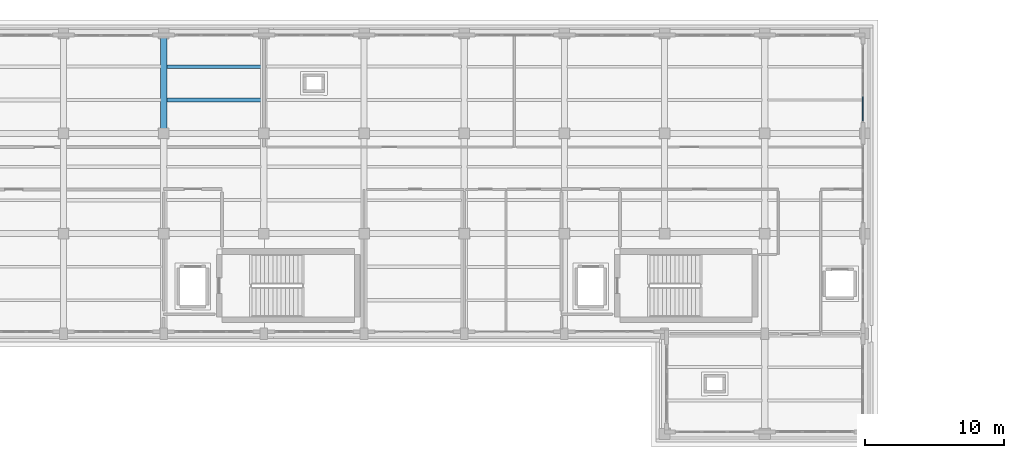
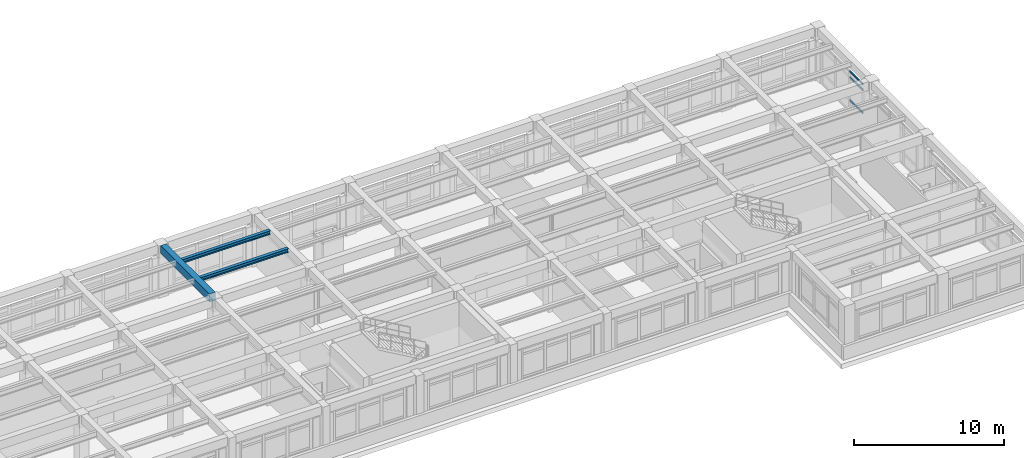
# One storey, part 29 of 67: 3 beams, 3 members, 1 element without a shape of its own.
"""IFC4 building model written with IfcOpenShell, lengths in metres."""

import ifcopenshell
import ifcopenshell.guid

model = None  # the IFC model being written
_history = None  # IfcOwnerHistory: only IFC2X3 demands one
_inside = {}  # id of a spatial element -> (the spatial element, [elements in it])
_under = {}  # id of a project, library or spatial element -> (it, [spatial elements below it])
_declared = {}  # id of a project -> (the project, [libraries it declares])
_typed = {}  # id of a type object -> (the type object, [elements of that type])
_made_of = {}  # id of a material, layer set ... -> (it, [elements and type objects made of it])


def new_model(schema):
    """Start an empty IFC model of exactly this schema.

    Asked for "IFC4X3", IfcOpenShell would pick the latest addendum, in which some entities
    have other attributes; the version numbers below select the first issue.
    IFC2X3 requires an IfcOwnerHistory on every rooted entity: one is made here for all.
    """
    global model, _history
    if schema == "IFC4X3":
        model = ifcopenshell.file(schema_version=(4, 3, 0, 0))
    else:
        model = ifcopenshell.file(schema=schema)
    _inside.clear()
    _under.clear()
    _declared.clear()
    _typed.clear()
    _made_of.clear()
    _history = None
    if model.schema == "IFC2X3":
        org = make("IfcOrganization", Name="unknown")
        user = make(
            "IfcPersonAndOrganization",
            ThePerson=make("IfcPerson", FamilyName="unknown"),
            TheOrganization=org,
        )
        app = make(
            "IfcApplication",
            ApplicationDeveloper=org,
            Version="unknown",
            ApplicationFullName="unknown",
            ApplicationIdentifier="unknown",
        )
        _history = make(
            "IfcOwnerHistory",
            OwningUser=user,
            OwningApplication=app,
            ChangeAction="ADDED",
            CreationDate=0,
        )
    return model


def make(cls, **values):
    """One entity of the class cls with the attributes given. An attribute that is None is left unset."""
    return model.create_entity(
        cls, **{name: value for name, value in values.items() if value is not None}
    )


def rooted(cls, **values):
    """An entity with a GlobalId (a new one), such as an element, a storey or a relation."""
    return make(cls, GlobalId=ifcopenshell.guid.new(), OwnerHistory=_history, **values)


def si_unit(unit_type, name, prefix=None):
    """IfcSIUnit, for example si_unit("LENGTHUNIT", "METRE", prefix="MILLI")."""
    return make("IfcSIUnit", UnitType=unit_type, Prefix=prefix, Name=name)


def assignment(units):
    """IfcUnitAssignment: the units of a project."""
    return None if units is None else make("IfcUnitAssignment", Units=units)


def point(xyz):
    """IfcCartesianPoint."""
    return None if xyz is None else make("IfcCartesianPoint", Coordinates=xyz)


def direction(xyz):
    """IfcDirection."""
    return None if xyz is None else make("IfcDirection", DirectionRatios=xyz)


def frame(location, z_axis=None, x_axis=None):
    """IfcAxis2Placement3D, a coordinate frame: its origin and axes. An axis left out is left unset."""
    return make(
        "IfcAxis2Placement3D",
        Location=point(location),
        Axis=direction(z_axis),
        RefDirection=direction(x_axis),
    )


def frame_2d(location, x_axis=None):
    """IfcAxis2Placement2D, a coordinate frame in the plane: its origin and x axis."""
    return make(
        "IfcAxis2Placement2D", Location=point(location), RefDirection=direction(x_axis)
    )


def origin():
    """The frame at (0, 0, 0) with its axes left unset."""
    return frame((0.0, 0.0, 0.0))


def origin_2d():
    """The frame at (0, 0) in the plane with its x axis left unset."""
    return frame_2d((0.0, 0.0))


def place(relative_to, where):
    """IfcLocalPlacement: puts the frame where relative to a parent placement (None: the world)."""
    return make(
        "IfcLocalPlacement", PlacementRelTo=relative_to, RelativePlacement=where
    )


def context(
    kind, dimensions, precision=None, world=None, true_north=None, identifier=None
):
    """IfcGeometricRepresentationContext, for example the 3D "Model" context."""
    return make(
        "IfcGeometricRepresentationContext",
        ContextIdentifier=identifier,
        ContextType=kind,
        CoordinateSpaceDimension=dimensions,
        Precision=precision,
        WorldCoordinateSystem=world,
        TrueNorth=true_north,
    )


def subcontext(parent, identifier, kind, view, scale=None):
    """IfcGeometricRepresentationSubContext, for example "Body" below "Model"."""
    return make(
        "IfcGeometricRepresentationSubContext",
        ContextIdentifier=identifier,
        ContextType=kind,
        ParentContext=parent,
        TargetScale=scale,
        TargetView=view,
    )


def project(units=None, contexts=None):
    """IfcProject with its units and contexts."""
    return rooted(
        "IfcProject",
        Name="project",
        RepresentationContexts=contexts,
        UnitsInContext=assignment(units),
    )


def spatial(cls, under=None, at=None, **own):
    """A site, building, storey or space (cls), placed at a placement, below another one or the project."""
    s = rooted(cls, ObjectPlacement=at, **own)
    if under is not None:
        _under.setdefault(under.id(), (under, []))[1].append(s)
    return s


def profile(cls, at=None, kind="AREA", **sizes):
    """A parametric profile (cls). Its sizes go by their IFC names, for example OverallWidth=200.0."""
    return make(cls, ProfileType=kind, Position=at, **sizes)


def rectangle(**sizes):
    """IfcRectangleProfileDef."""
    return profile("IfcRectangleProfileDef", **sizes)


def i_section(**sizes):
    """IfcIShapeProfileDef."""
    return profile("IfcIShapeProfileDef", **sizes)


def extrude(swept, where, along, depth):
    """IfcExtrudedAreaSolid: the profile swept, set in the frame where, extruded along a direction by depth."""
    return make(
        "IfcExtrudedAreaSolid",
        SweptArea=swept,
        Position=where,
        ExtrudedDirection=direction(along),
        Depth=depth,
    )


def shape(context_of_items, identifier, shape_type, items):
    """IfcShapeRepresentation: the items that make up one representation, for example the "Body"."""
    return make(
        "IfcShapeRepresentation",
        ContextOfItems=context_of_items,
        RepresentationIdentifier=identifier,
        RepresentationType=shape_type,
        Items=items,
    )


def material(Name=None, Category=None):
    """IfcMaterial."""
    return make("IfcMaterial", Name=Name, Category=Category)


def layer(
    of_material, thickness, ventilated=None, Name=None, Category=None, Priority=None
):
    """IfcMaterialLayer: one layer of a wall or slab, of a material (None: an air gap)."""
    return make(
        "IfcMaterialLayer",
        Material=of_material,
        LayerThickness=thickness,
        IsVentilated=ventilated,
        Name=Name,
        Category=Category,
        Priority=Priority,
    )


def layer_set(layers, Name=None):
    """IfcMaterialLayerSet."""
    return make("IfcMaterialLayerSet", MaterialLayers=layers, LayerSetName=Name)


def material_profile(
    of_material, cross_section, Name=None, Category=None, Priority=None
):
    """IfcMaterialProfile: a cross section and its material."""
    return make(
        "IfcMaterialProfile",
        Name=Name,
        Material=of_material,
        Profile=cross_section,
        Priority=Priority,
        Category=Category,
    )


def profile_set(profiles, Name=None, composite=None):
    """IfcMaterialProfileSet."""
    return make(
        "IfcMaterialProfileSet",
        Name=Name,
        MaterialProfiles=profiles,
        CompositeProfile=composite,
    )


def made_of(thing, what):
    """Note that an element or type object is made of a material, layer set ...; save() writes the relation."""
    if what is not None:
        _made_of.setdefault(what.id(), (what, []))[1].append(thing)
    return thing


def type_object(cls, material=None, **own):
    """A type object (cls), such as IfcWallType, which elements share."""
    return made_of(rooted(cls, **own), material)


def element(
    cls,
    number,
    at=None,
    inside=None,
    cuts=None,
    type_object=None,
    material=None,
    context=None,
    identifier="Body",
    shape_type=None,
    held_by="IfcProductDefinitionShape",
    body=None,
    shapes=None,
    **own,
):
    """One element of the class cls, such as IfcWall. Its Tag is "e" and its number.

    at: its placement. inside: the storey or other place that contains it. cuts: it is an
    opening in that element (IfcRelVoidsElement). A single representation is given by context,
    identifier, shape_type and body (its items); several are given by shapes. held_by: the class
    of the entity that holds the representations. save() writes the other relations.
    """
    e = rooted(cls, Tag="e%d" % number, ObjectPlacement=at, **own)
    if body is not None:
        shapes = [shape(context, identifier, shape_type, body)]
    if shapes is not None:
        e.Representation = make(held_by, Representations=shapes)
    if inside is not None:
        _inside.setdefault(inside.id(), (inside, []))[1].append(e)
    if cuts is not None:
        rooted(
            "IfcRelVoidsElement", RelatingBuildingElement=cuts, RelatedOpeningElement=e
        )
    if type_object is not None:
        _typed.setdefault(type_object.id(), (type_object, []))[1].append(e)
    return made_of(e, material)


def aggregate(whole, parts):
    """IfcRelAggregates: a whole, such as a stair, and the parts it consists of."""
    return rooted("IfcRelAggregates", RelatingObject=whole, RelatedObjects=parts)


def save(model, path):
    """Write the relations noted so far, then the file.

    IfcRelAggregates (storeys below a building ...), IfcRelContainedInSpatialStructure (elements
    in a storey), IfcRelDefinesByType, IfcRelAssociatesMaterial and IfcRelDeclares: one each for
    every whole, place, type object, material and project.
    """
    for whole, parts in _under.values():
        aggregate(whole, parts)
    for where, things in _inside.values():
        rooted(
            "IfcRelContainedInSpatialStructure",
            RelatedElements=things,
            RelatingStructure=where,
        )
    for kind, things in _typed.values():
        rooted("IfcRelDefinesByType", RelatedObjects=things, RelatingType=kind)
    for what, things in _made_of.values():
        rooted("IfcRelAssociatesMaterial", RelatedObjects=things, RelatingMaterial=what)
    for by, libraries in _declared.values():
        rooted("IfcRelDeclares", RelatingContext=by, RelatedDefinitions=libraries)
    model.write(path)


model = new_model("IFC4")

# Units and contexts
model_context = context("Model", 3, precision=1e-05, world=origin(), true_north=direction((0.0, 1.0)))
body_context = subcontext(model_context, "Body", "Model", "MODEL_VIEW")
ifc_project = project(units=[si_unit("LENGTHUNIT", "METRE"), si_unit("AREAUNIT", "SQUARE_METRE"), si_unit("VOLUMEUNIT", "CUBIC_METRE"), si_unit("PLANEANGLEUNIT", "RADIAN"), si_unit("MASSUNIT", "GRAM", prefix="KILO")], contexts=[model_context])

# Site, building, storey
site_placement = place(None, origin())
site = spatial("IfcSite", under=ifc_project, at=site_placement, CompositionType="ELEMENT")
building_placement = place(site_placement, origin())
building = spatial("IfcBuilding", under=site, at=building_placement, Name="Solenvale Faculty of Natural Sciences", CompositionType="ELEMENT")
storey_placement = place(building_placement, frame((0.0, 0.0, 13.5)))
storey = spatial("IfcBuildingStorey", under=building, at=storey_placement, Name="L03", CompositionType="ELEMENT", Elevation=13.5)

# Beams
ifc_material_1 = material(Name="Concrete 40 MPa", Category="concrete")
ifc_material_profile_1 = material_profile(ifc_material_1, rectangle(XDim=0.449951171875, YDim=0.64990234375, at=origin_2d()), Name="RC-BM-450x650")
ifc_profile_set_1 = profile_set([ifc_material_profile_1], Name="Concrete 40 MPa")
beam_type_1 = type_object("IfcBeamType", Name="BM-RC-450x650", PredefinedType="BEAM", material=ifc_profile_set_1)
beam_placement = place(storey_placement, frame((100.800048828125, 108.35498046875, 3.89501953125), z_axis=(0.0, 1.0, 0.0), x_axis=(-1.0, 0.0, 0.0)))
element("IfcBeam", 1, at=beam_placement, inside=storey, type_object=beam_type_1, Name="L03 Y-Girder X100.8 (108.0..115.2)", PredefinedType="BEAM", context=body_context, shape_type="SweptSolid", body=[
    extrude(rectangle(XDim=0.449951171875, YDim=0.64990234375, at=origin_2d()), origin(), (0.0, 0.0, 1.0), 6.489990234375),
])
ifc_material_2 = material(Name="Steel S355", Category="steel")
ifc_material_profile_2 = material_profile(ifc_material_2, i_section(OverallWidth=0.25390625, OverallDepth=0.305908203125, WebThickness=0.0087890625, FlangeThickness=0.0146484375, FilletRadius=0.014892578125, at=origin_2d()), Name="W310x79")
ifc_profile_set_2 = profile_set([ifc_material_profile_2], Name="Steel S355")
beam_type_2 = type_object("IfcBeamType", Name="BM-STL-W310x79", PredefinedType="JOIST", material=ifc_profile_set_2)
for number, where, z_axis, x_axis, name in (
    (2, (101.0048828125, 110.39990234375, 4.06689453125), (1.0, 0.0, 0.0), (0.0, 1.0, 0.0), "L03 Composite Floor Joist (15,16).1"),
    (3, (101.0048828125, 112.800048828125, 4.06689453125), (1.0, 0.0, 0.0), (0.0, 1.0, 0.0), "L03 Composite Floor Joist (15,16).2"),
):
    element("IfcBeam", number, at=place(storey_placement, frame(where, z_axis=z_axis, x_axis=x_axis)), inside=storey, type_object=beam_type_2, Name=name, PredefinedType="JOIST", context=body_context, shape_type="SweptSolid", body=[
        extrude(i_section(OverallWidth=0.25390625, OverallDepth=0.305908203125, WebThickness=0.0087890625, FlangeThickness=0.0146484375, FilletRadius=0.014892578125, at=origin_2d()), origin(), (0.0, 0.0, 1.0), 6.7900390625),
    ])

# Curtain wall, members
ifc_material_3 = material(Name="Anodised bronze aluminium", Category="aluminium")
ifc_layer = layer(ifc_material_3, 0.179931640625)
ifc_layer_set = layer_set([ifc_layer], Name="Anodised bronze aluminium")
curtain_wall_type = type_object("IfcCurtainWallType", Name="CW-TWR-MOD", PredefinedType="USERDEFINED", material=ifc_layer_set)
curtain_wall_placement = place(storey_placement, origin())
curtain_wall = element("IfcCurtainWall", 4, at=curtain_wall_placement, inside=storey, type_object=curtain_wall_type, Name="L03 Curtain Wall CW-L03-P3-E3-B3", ObjectType="UNITISED CURTAIN WALL", PredefinedType="USERDEFINED")
ifc_material_profile_3 = material_profile(ifc_material_3, rectangle(XDim=0.074951171875, YDim=0.155029296875, at=origin_2d()), Name="ALU-TRN-75x155")
ifc_profile_set_3 = profile_set([ifc_material_profile_3], Name="Anodised bronze aluminium")
member_type = type_object("IfcMemberType", Name="CWT-ALU-75x155", PredefinedType="USERDEFINED", material=ifc_profile_set_3)
member_1_placement = place(storey_placement, frame((151.0576171875, 108.925048828125, 0.89990234375), z_axis=(0.0, 1.0, 0.0), x_axis=(-1.0, 0.0, 0.0)))
member_1 = element("IfcMember", 5, at=member_1_placement, type_object=member_type, Name="CW-04 transom 1.2", ObjectType="TRANSOM", PredefinedType="USERDEFINED", context=body_context, shape_type="SweptSolid", body=[
    extrude(rectangle(XDim=0.074951171875, YDim=0.155029296875, at=origin_2d()), origin(), (0.0, 0.0, 1.0), 1.720703125),
])
member_2_placement = place(storey_placement, frame((151.0576171875, 108.925048828125, 2.760009765625), z_axis=(0.0, 1.0, 0.0), x_axis=(-1.0, 0.0, 0.0)))
member_2 = element("IfcMember", 6, at=member_2_placement, type_object=member_type, Name="CW-04 transom 1.3", ObjectType="TRANSOM", PredefinedType="USERDEFINED", context=body_context, shape_type="SweptSolid", body=[
    extrude(rectangle(XDim=0.074951171875, YDim=0.155029296875, at=origin_2d()), origin(), (0.0, 0.0, 1.0), 1.720703125),
])
member_3_placement = place(storey_placement, frame((151.0576171875, 108.925048828125, 3.222412109375), z_axis=(0.0, 1.0, 0.0), x_axis=(-1.0, 0.0, 0.0)))
member_3 = element("IfcMember", 7, at=member_3_placement, type_object=member_type, Name="CW-04 transom 1.4", ObjectType="TRANSOM", PredefinedType="USERDEFINED", context=body_context, shape_type="SweptSolid", body=[
    extrude(rectangle(XDim=0.074951171875, YDim=0.155029296875, at=origin_2d()), origin(), (0.0, 0.0, 1.0), 1.720703125),
])
aggregate(curtain_wall, [member_1, member_2, member_3])

save(model, "model.ifc")
